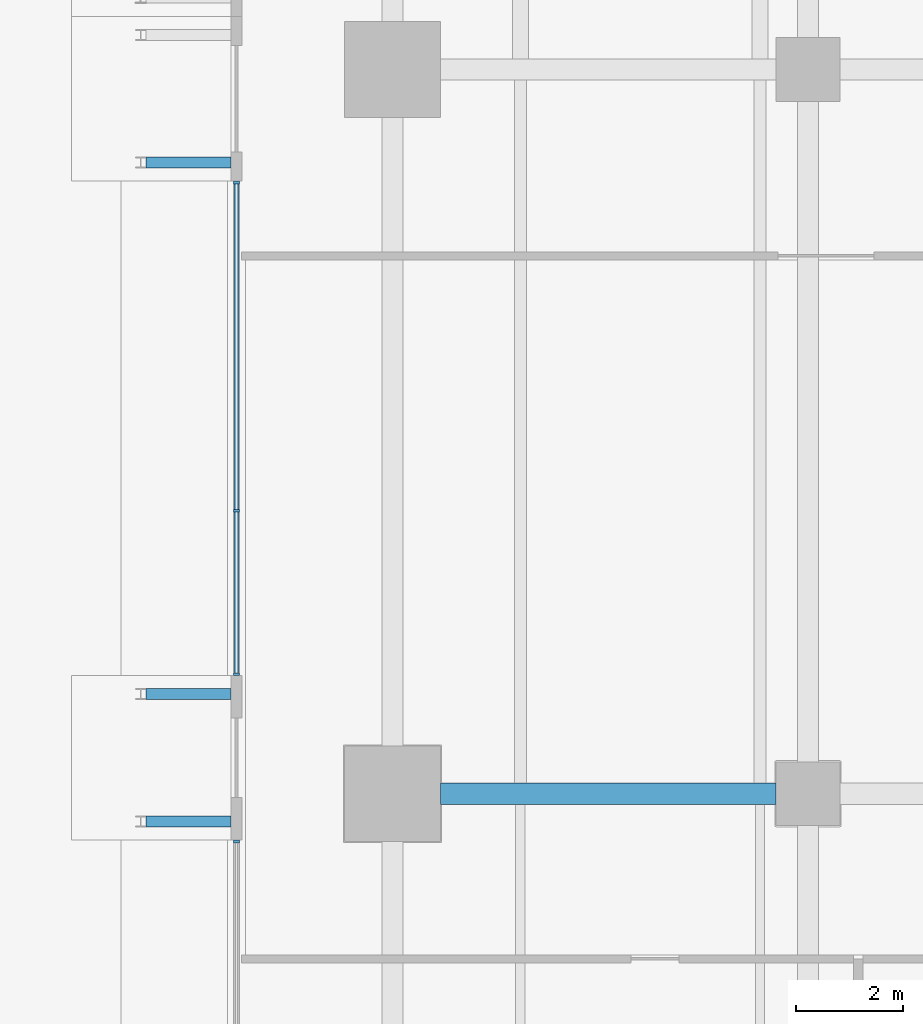
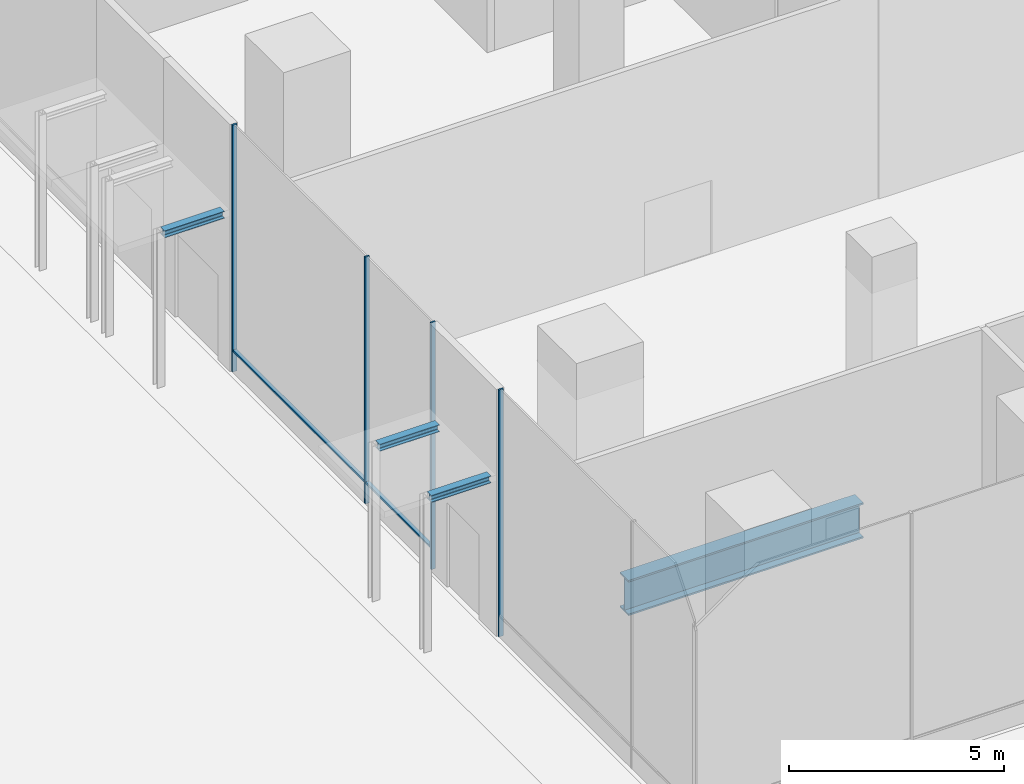
# One storey, part 14 of 41: 6 members, 4 beams, 2 elements without a shape of their own.
"""IFC4 building model written with IfcOpenShell, lengths in metres."""

from ifc_helpers import new_model, si_unit, direction, frame, origin, origin_2d, place, context, subcontext, project, spatial, rectangle, i_section, extrude, material, layer, layer_set, material_profile, profile_set, type_object, element, aggregate, save


model = new_model("IFC4")

# Units and contexts
model_context = context("Model", 3, precision=1e-05, world=origin(), true_north=direction((0.0, 1.0)))
body_context = subcontext(model_context, "Body", "Model", "MODEL_VIEW")
ifc_project = project(units=[si_unit("LENGTHUNIT", "METRE"), si_unit("AREAUNIT", "SQUARE_METRE"), si_unit("VOLUMEUNIT", "CUBIC_METRE"), si_unit("PLANEANGLEUNIT", "RADIAN"), si_unit("MASSUNIT", "GRAM", prefix="KILO")], contexts=[model_context])

# Site, building, storey
site_placement = place(None, origin())
site = spatial("IfcSite", under=ifc_project, at=site_placement, CompositionType="ELEMENT")
building_placement = place(site_placement, origin())
building = spatial("IfcBuilding", under=site, at=building_placement, Name="Rattan Terrace Tower", CompositionType="ELEMENT")
storey_placement = place(building_placement, origin())
storey = spatial("IfcBuildingStorey", under=building, at=storey_placement, Name="L00", CompositionType="ELEMENT", Elevation=0.0)

# Beams
ifc_material_1 = material(Name="Structural steel S355", Category="steel")
ifc_material_profile_1 = material_profile(ifc_material_1, i_section(OverallWidth=0.199951171875, OverallDepth=0.199951171875, WebThickness=0.009033203125, FlangeThickness=0.014892578125, FilletRadius=0.01806640625, at=origin_2d()), Name="HE 200 B")
ifc_profile_set_1 = profile_set([ifc_material_profile_1], Name="Structural steel S355")
beam_type_1 = type_object("IfcBeamType", Name="Canopy beam HE 200 B", PredefinedType="BEAM", material=ifc_profile_set_1)
for number, where, z_axis, x_axis, name in (
    (1, (-36.929931640625, -15.24609375, 4.300048828125), (-1.0, 0.0, 0.0), (0.0, -1.0, 0.0), "Canopy beam 036b"),
    (2, (-36.929931640625, -25.22802734375, 4.300048828125), (-1.0, 0.0, 0.0), (0.0, -1.0, 0.0), "Canopy beam 041a"),
    (3, (-36.929931640625, -27.6220703125, 4.300048828125), (-1.0, 0.0, 0.0), (0.0, -1.0, 0.0), "Canopy beam 041b"),
):
    element("IfcBeam", number, at=place(storey_placement, frame(where, z_axis=z_axis, x_axis=x_axis)), inside=storey, type_object=beam_type_1, Name=name, PredefinedType="BEAM", context=body_context, shape_type="SweptSolid", body=[
        extrude(i_section(OverallWidth=0.199951171875, OverallDepth=0.199951171875, WebThickness=0.009033203125, FlangeThickness=0.014892578125, FilletRadius=0.01806640625, at=origin_2d()), origin(), (0.0, 0.0, 1.0), 1.60009765625),
    ])
ifc_material_2 = material(Name="Steel S460", Category="steel")
ifc_material_profile_2 = material_profile(ifc_material_2, i_section(OverallWidth=0.39990234375, OverallDepth=1.0, WebThickness=0.01806640625, FlangeThickness=0.044921875, at=origin_2d()), Name="PG 1000x400-18-45")
ifc_profile_set_2 = profile_set([ifc_material_profile_2], Name="Steel S460")
beam_type_2 = type_object("IfcBeamType", Name="Frame podium girder PG 1000x400-18-45", PredefinedType="USERDEFINED", material=ifc_profile_set_2)
beam_placement = place(storey_placement, frame((-33.0, -27.10009765625, -0.699951171875), z_axis=(1.0, 0.0, 0.0), x_axis=(0.0, 1.0, 0.0)))
element("IfcBeam", 4, at=beam_placement, inside=storey, type_object=beam_type_2, Name="gdr-L00-014", ObjectType="PODIUM GIRDER", PredefinedType="USERDEFINED", context=body_context, shape_type="SweptSolid", body=[
    extrude(i_section(OverallWidth=0.39990234375, OverallDepth=1.0, WebThickness=0.01806640625, FlangeThickness=0.044921875, at=origin_2d()), origin(), (0.0, 0.0, 1.0), 6.300048828125),
])

# Curtain wall, members
ifc_material_3 = material(Name="Aluminium and glass", Category="aluminium")
ifc_layer = layer(ifc_material_3, 0.1201171875)
ifc_layer_set = layer_set([ifc_layer], Name="Station Storefront Curtain Wall")
curtain_wall_type = type_object("IfcCurtainWallType", Name="Station Storefront Curtain Wall", PredefinedType="NOTDEFINED", material=ifc_layer_set)
curtain_wall_1_placement = place(storey_placement, origin())
curtain_wall_1 = element("IfcCurtainWall", 5, at=curtain_wall_1_placement, inside=storey, type_object=curtain_wall_type, Name="Storefront curtain wall L00-8", PredefinedType="NOTDEFINED")
ifc_material_4 = material(Name="Aluminium", Category="aluminium")
ifc_material_profile_3 = material_profile(ifc_material_4, rectangle(XDim=0.050048828125, YDim=0.1201171875, at=origin_2d()), Name="Aluminium 50x120")
ifc_profile_set_3 = profile_set([ifc_material_profile_3], Name="Aluminium")
member_type_1 = type_object("IfcMemberType", Name="Storefront CW Mullion 50x120", PredefinedType="MULLION", material=ifc_profile_set_3)
member_1_placement = place(storey_placement, frame((-36.830078125, -15.62109375, 0.0), z_axis=(0.0, 0.0, 1.0), x_axis=(0.0, -1.0, 0.0)))
member_1 = element("IfcMember", 6, at=member_1_placement, type_object=member_type_1, Name="Mullion cwl-L00-008.1", PredefinedType="MULLION", context=body_context, shape_type="SweptSolid", body=[
    extrude(rectangle(XDim=0.050048828125, YDim=0.1201171875, at=origin_2d()), origin(), (0.0, 0.0, 1.0), 7.0),
])
member_2_placement = place(storey_placement, frame((-36.830078125, -21.783935546875, 0.0), z_axis=(0.0, 0.0, 1.0), x_axis=(0.0, -1.0, 0.0)))
member_2 = element("IfcMember", 7, at=member_2_placement, type_object=member_type_1, Name="Mullion cwl-L00-008.2", PredefinedType="MULLION", context=body_context, shape_type="SweptSolid", body=[
    extrude(rectangle(XDim=0.050048828125, YDim=0.1201171875, at=origin_2d()), origin(), (0.0, 0.0, 1.0), 7.0),
])
member_3_placement = place(storey_placement, frame((-36.830078125, -24.85302734375, 0.0), z_axis=(0.0, 0.0, 1.0), x_axis=(0.0, -1.0, 0.0)))
member_3 = element("IfcMember", 8, at=member_3_placement, type_object=member_type_1, Name="Mullion cwl-L00-008.3", PredefinedType="MULLION", context=body_context, shape_type="SweptSolid", body=[
    extrude(rectangle(XDim=0.050048828125, YDim=0.1201171875, at=origin_2d()), origin(), (0.0, 0.0, 1.0), 7.0),
])

# Curtain wall, member
curtain_wall_2_placement = place(storey_placement, origin())
curtain_wall_2 = element("IfcCurtainWall", 9, at=curtain_wall_2_placement, inside=storey, type_object=curtain_wall_type, Name="Storefront curtain wall L00-9", PredefinedType="NOTDEFINED")
member_4_placement = place(storey_placement, frame((-36.830078125, -27.9970703125, 0.0), z_axis=(0.0, 0.0, 1.0), x_axis=(0.0, -1.0, 0.0)))
member_4 = element("IfcMember", 10, at=member_4_placement, type_object=member_type_1, Name="Mullion cwl-L00-009.1", PredefinedType="MULLION", context=body_context, shape_type="SweptSolid", body=[
    extrude(rectangle(XDim=0.050048828125, YDim=0.1201171875, at=origin_2d()), origin(), (0.0, 0.0, 1.0), 7.0),
])
aggregate(curtain_wall_2, [member_4])

# Member
ifc_material_5 = material(Name="Aluminium", Category="aluminium")
ifc_material_profile_4 = material_profile(ifc_material_5, rectangle(XDim=0.10009765625, YDim=0.050048828125, at=origin_2d()), Name="Aluminium 100x50")
ifc_profile_set_4 = profile_set([ifc_material_profile_4], Name="Aluminium")
member_type_2 = type_object("IfcMemberType", Name="Storefront CW Transom 100x50", PredefinedType="USERDEFINED", material=ifc_profile_set_4)
member_5_placement = place(storey_placement, frame((-36.830078125, -15.64599609375, 0.60009765625), z_axis=(0.0, -1.0, 0.0), x_axis=(1.0, 0.0, 0.0)))
member_5 = element("IfcMember", 11, at=member_5_placement, type_object=member_type_2, Name="Transom cwl-L00-008.1", ObjectType="TRANSOM", PredefinedType="USERDEFINED", context=body_context, shape_type="SweptSolid", body=[
    extrude(rectangle(XDim=0.10009765625, YDim=0.050048828125, at=origin_2d()), origin(), (0.0, 0.0, 1.0), 6.113037109375),
])

member_6_placement = place(storey_placement, frame((-36.830078125, -21.80908203125, 0.60009765625), z_axis=(0.0, -1.0, 0.0), x_axis=(1.0, 0.0, 0.0)))
member_6 = element("IfcMember", 12, at=member_6_placement, type_object=member_type_2, Name="Transom cwl-L00-008.2", ObjectType="TRANSOM", PredefinedType="USERDEFINED", context=body_context, shape_type="SweptSolid", body=[
    extrude(rectangle(XDim=0.10009765625, YDim=0.050048828125, at=origin_2d()), origin(), (0.0, 0.0, 1.0), 3.018798828125),
])

aggregate(curtain_wall_1, [member_1, member_2, member_3, member_5, member_6])

save(model, "model.ifc")
